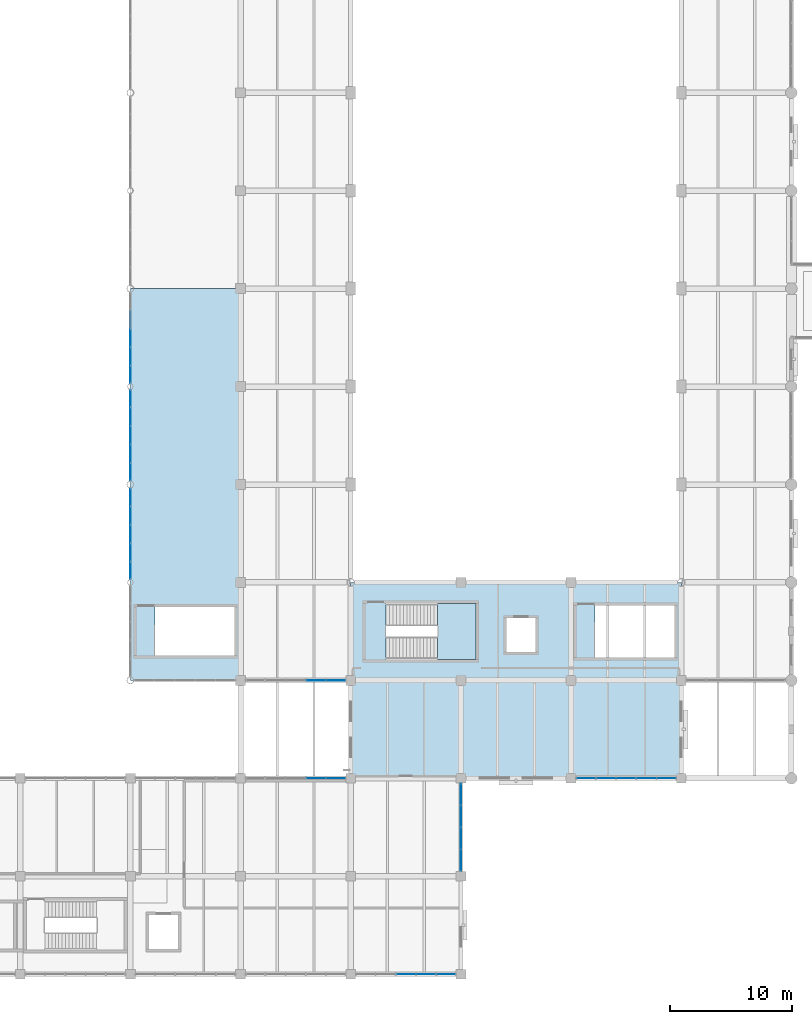
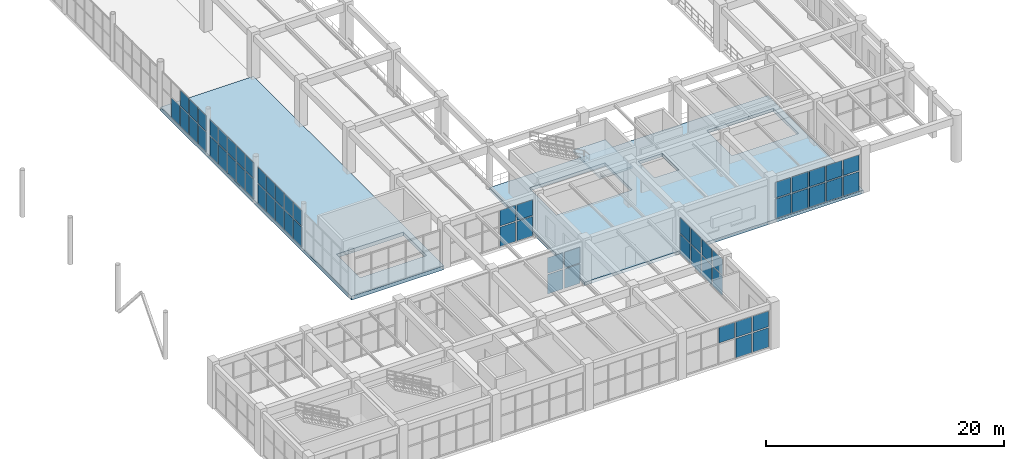
# One storey, part 140 of 178: 58 plates, 3 slabs, 9 elements without a shape of their own.
"""IFC4 building model written with IfcOpenShell, lengths in metres."""

from ifc_helpers import new_model, si_unit, derived_unit, direction, frame, origin, origin_2d, place, context, subcontext, project, spatial, polyline, rectangle, outline, extrude, material, layer, layer_set, type_object, element, aggregate, save


model = new_model("IFC4")

# Units and contexts
model_context = context("Model", 3, precision=1e-05, world=origin(), true_north=direction((0.0, 1.0)))
body_context = subcontext(model_context, "Body", "Model", "MODEL_VIEW")
ifc_project = project(units=[si_unit("LENGTHUNIT", "METRE"), si_unit("AREAUNIT", "SQUARE_METRE"), si_unit("VOLUMEUNIT", "CUBIC_METRE"), si_unit("PLANEANGLEUNIT", "RADIAN"), si_unit("MASSUNIT", "GRAM", prefix="KILO"), derived_unit("THERMALTRANSMITTANCEUNIT", [(si_unit("MASSUNIT", "GRAM", prefix="KILO"), 1), (si_unit("TIMEUNIT", "SECOND"), -3), (si_unit("THERMODYNAMICTEMPERATUREUNIT", "KELVIN"), -1)])], contexts=[model_context])

# Site, building, storey
site_placement = place(None, origin())
site = spatial("IfcSite", under=ifc_project, at=site_placement, CompositionType="ELEMENT")
building_placement = place(site_placement, origin())
building = spatial("IfcBuilding", under=site, at=building_placement, Name="Zhenchuan Archway Interchange", CompositionType="ELEMENT")
storey_placement = place(building_placement, frame((0.0, 0.0, 5.39990234375)))
storey = spatial("IfcBuildingStorey", under=building, at=storey_placement, Name="L01", CompositionType="ELEMENT", Elevation=5.39990234375)

# Curtain wall, plates
ifc_material_1 = material(Name="Anodised Aluminium", Category="aluminium")
curtain_wall_type_1 = type_object("IfcCurtainWallType", Name="CW_UNIT_4", PredefinedType="NOTDEFINED", material=ifc_material_1)
curtain_wall_1_placement = place(storey_placement, origin())
curtain_wall_1 = element("IfcCurtainWall", 1, at=curtain_wall_1_placement, inside=storey, type_object=curtain_wall_type_1, Name="Unitised curtain wall CW:L01:027", PredefinedType="NOTDEFINED")
ifc_material_2 = material(Name="Double Low-E Insulated Glazing", Category="glass")
ifc_layer_1 = layer(ifc_material_2, 0.028076171875)
ifc_layer_set_1 = layer_set([ifc_layer_1], Name="Double Low-E Insulated Glazing")
plate_type_1 = type_object("IfcPlateType", Name="CW_GLZ_1", PredefinedType="CURTAIN_PANEL", material=ifc_layer_set_1)
plate_1_placement = place(storey_placement, frame((34.795654296875, 24.0, 0.080078125), z_axis=(0.0, 0.0, 1.0), x_axis=(-1.0, 0.0, 0.0)))
plate_1 = element("IfcPlate", 2, at=plate_1_placement, type_object=plate_type_1, Name="CW:L01:027 lower glazing panel 0", PredefinedType="CURTAIN_PANEL", context=body_context, shape_type="SweptSolid", body=[
    extrude(rectangle(XDim=1.492919921875, YDim=0.028076171875, at=origin_2d()), origin(), (0.0, 0.0, 1.0), 1.98291015625),
])
plate_2_placement = place(storey_placement, frame((33.15283203125, 24.0, 0.080078125), z_axis=(0.0, 0.0, 1.0), x_axis=(-1.0, 0.0, 0.0)))
plate_2 = element("IfcPlate", 3, at=plate_2_placement, type_object=plate_type_1, Name="CW:L01:027 lower glazing panel 1", PredefinedType="CURTAIN_PANEL", context=body_context, shape_type="SweptSolid", body=[
    extrude(rectangle(XDim=1.5126953125, YDim=0.028076171875, at=origin_2d()), origin(), (0.0, 0.0, 1.0), 1.98291015625),
])

curtain_wall_type_2 = type_object("IfcCurtainWallType", Name="CW_UNIT_3", PredefinedType="NOTDEFINED", material=ifc_material_1)
curtain_wall_2_placement = place(storey_placement, origin())
curtain_wall_2 = element("IfcCurtainWall", 4, at=curtain_wall_2_placement, inside=storey, type_object=curtain_wall_type_2, Name="Unitised curtain wall CW:L01:030", PredefinedType="NOTDEFINED")
plate_3_placement = place(storey_placement, frame((18.0, 32.961181640625, 0.080078125), z_axis=(0.0, 0.0, 1.0), x_axis=(0.0, 1.0, 0.0)))
plate_3 = element("IfcPlate", 5, at=plate_3_placement, type_object=plate_type_1, Name="CW:L01:030 lower glazing panel 0", PredefinedType="CURTAIN_PANEL", context=body_context, shape_type="SweptSolid", body=[
    extrude(rectangle(XDim=1.3515625, YDim=0.028076171875, at=origin_2d()), origin(), (0.0, 0.0, 1.0), 1.98291015625),
])
plate_4_placement = place(storey_placement, frame((18.0, 34.462890625, 0.080078125), z_axis=(0.0, 0.0, 1.0), x_axis=(0.0, 1.0, 0.0)))
plate_4 = element("IfcPlate", 6, at=plate_4_placement, type_object=plate_type_1, Name="CW:L01:030 lower glazing panel 1", PredefinedType="CURTAIN_PANEL", context=body_context, shape_type="SweptSolid", body=[
    extrude(rectangle(XDim=1.37158203125, YDim=0.028076171875, at=origin_2d()), origin(), (0.0, 0.0, 1.0), 1.98291015625),
])
plate_5_placement = place(storey_placement, frame((18.0, 35.974609375, 0.080078125), z_axis=(0.0, 0.0, 1.0), x_axis=(0.0, 1.0, 0.0)))
plate_5 = element("IfcPlate", 7, at=plate_5_placement, type_object=plate_type_1, Name="CW:L01:030 lower glazing panel 2", PredefinedType="CURTAIN_PANEL", context=body_context, shape_type="SweptSolid", body=[
    extrude(rectangle(XDim=1.37158203125, YDim=0.028076171875, at=origin_2d()), origin(), (0.0, 0.0, 1.0), 1.98291015625),
])
plate_6_placement = place(storey_placement, frame((18.0, 37.486083984375, 0.080078125), z_axis=(0.0, 0.0, 1.0), x_axis=(0.0, 1.0, 0.0)))
plate_6 = element("IfcPlate", 8, at=plate_6_placement, type_object=plate_type_1, Name="CW:L01:030 lower glazing panel 3", PredefinedType="CURTAIN_PANEL", context=body_context, shape_type="SweptSolid", body=[
    extrude(rectangle(XDim=1.37158203125, YDim=0.028076171875, at=origin_2d()), origin(), (0.0, 0.0, 1.0), 1.98291015625),
])
plate_7_placement = place(storey_placement, frame((18.0, 38.98779296875, 0.080078125), z_axis=(0.0, 0.0, 1.0), x_axis=(0.0, 1.0, 0.0)))
plate_7 = element("IfcPlate", 9, at=plate_7_placement, type_object=plate_type_1, Name="CW:L01:030 lower glazing panel 4", PredefinedType="CURTAIN_PANEL", context=body_context, shape_type="SweptSolid", body=[
    extrude(rectangle(XDim=1.3515625, YDim=0.028076171875, at=origin_2d()), origin(), (0.0, 0.0, 1.0), 1.98291015625),
])

curtain_wall_3_placement = place(storey_placement, origin())
curtain_wall_3 = element("IfcCurtainWall", 10, at=curtain_wall_3_placement, inside=storey, type_object=curtain_wall_type_1, Name="Unitised curtain wall CW:L01:031", PredefinedType="NOTDEFINED")
plate_8_placement = place(storey_placement, frame((18.0, 41.01220703125, 0.080078125), z_axis=(0.0, 0.0, 1.0), x_axis=(0.0, 1.0, 0.0)))
plate_8 = element("IfcPlate", 11, at=plate_8_placement, type_object=plate_type_1, Name="CW:L01:031 lower glazing panel 0", PredefinedType="CURTAIN_PANEL", context=body_context, shape_type="SweptSolid", body=[
    extrude(rectangle(XDim=1.3515625, YDim=0.028076171875, at=origin_2d()), origin(), (0.0, 0.0, 1.0), 1.98291015625),
])
plate_9_placement = place(storey_placement, frame((18.0, 42.513916015625, 0.080078125), z_axis=(0.0, 0.0, 1.0), x_axis=(0.0, 1.0, 0.0)))
plate_9 = element("IfcPlate", 12, at=plate_9_placement, type_object=plate_type_1, Name="CW:L01:031 lower glazing panel 1", PredefinedType="CURTAIN_PANEL", context=body_context, shape_type="SweptSolid", body=[
    extrude(rectangle(XDim=1.37158203125, YDim=0.028076171875, at=origin_2d()), origin(), (0.0, 0.0, 1.0), 1.98291015625),
])
plate_10_placement = place(storey_placement, frame((18.0, 44.025390625, 0.080078125), z_axis=(0.0, 0.0, 1.0), x_axis=(0.0, 1.0, 0.0)))
plate_10 = element("IfcPlate", 13, at=plate_10_placement, type_object=plate_type_1, Name="CW:L01:031 lower glazing panel 2", PredefinedType="CURTAIN_PANEL", context=body_context, shape_type="SweptSolid", body=[
    extrude(rectangle(XDim=1.37158203125, YDim=0.028076171875, at=origin_2d()), origin(), (0.0, 0.0, 1.0), 1.98291015625),
])
plate_11_placement = place(storey_placement, frame((18.0, 45.537109375, 0.080078125), z_axis=(0.0, 0.0, 1.0), x_axis=(0.0, 1.0, 0.0)))
plate_11 = element("IfcPlate", 14, at=plate_11_placement, type_object=plate_type_1, Name="CW:L01:031 lower glazing panel 3", PredefinedType="CURTAIN_PANEL", context=body_context, shape_type="SweptSolid", body=[
    extrude(rectangle(XDim=1.37158203125, YDim=0.028076171875, at=origin_2d()), origin(), (0.0, 0.0, 1.0), 1.98291015625),
])
plate_12_placement = place(storey_placement, frame((18.0, 47.038818359375, 0.080078125), z_axis=(0.0, 0.0, 1.0), x_axis=(0.0, 1.0, 0.0)))
plate_12 = element("IfcPlate", 15, at=plate_12_placement, type_object=plate_type_1, Name="CW:L01:031 lower glazing panel 4", PredefinedType="CURTAIN_PANEL", context=body_context, shape_type="SweptSolid", body=[
    extrude(rectangle(XDim=1.3515625, YDim=0.028076171875, at=origin_2d()), origin(), (0.0, 0.0, 1.0), 1.98291015625),
])

curtain_wall_type_3 = type_object("IfcCurtainWallType", Name="CW_UNIT_1", PredefinedType="NOTDEFINED", material=ifc_material_1)
curtain_wall_4_placement = place(storey_placement, origin())
curtain_wall_4 = element("IfcCurtainWall", 16, at=curtain_wall_4_placement, inside=storey, type_object=curtain_wall_type_3, Name="Unitised curtain wall CW:L01:032", PredefinedType="NOTDEFINED")
plate_13_placement = place(storey_placement, frame((18.0, 48.961181640625, 0.080078125), z_axis=(0.0, 0.0, 1.0), x_axis=(0.0, 1.0, 0.0)))
plate_13 = element("IfcPlate", 17, at=plate_13_placement, type_object=plate_type_1, Name="CW:L01:032 lower glazing panel 0", PredefinedType="CURTAIN_PANEL", context=body_context, shape_type="SweptSolid", body=[
    extrude(rectangle(XDim=1.3515625, YDim=0.028076171875, at=origin_2d()), origin(), (0.0, 0.0, 1.0), 1.98291015625),
])
plate_14_placement = place(storey_placement, frame((18.0, 50.462890625, 0.080078125), z_axis=(0.0, 0.0, 1.0), x_axis=(0.0, 1.0, 0.0)))
plate_14 = element("IfcPlate", 18, at=plate_14_placement, type_object=plate_type_1, Name="CW:L01:032 lower glazing panel 1", PredefinedType="CURTAIN_PANEL", context=body_context, shape_type="SweptSolid", body=[
    extrude(rectangle(XDim=1.37158203125, YDim=0.028076171875, at=origin_2d()), origin(), (0.0, 0.0, 1.0), 1.98291015625),
])
plate_15_placement = place(storey_placement, frame((18.0, 51.974609375, 0.080078125), z_axis=(0.0, 0.0, 1.0), x_axis=(0.0, 1.0, 0.0)))
plate_15 = element("IfcPlate", 19, at=plate_15_placement, type_object=plate_type_1, Name="CW:L01:032 lower glazing panel 2", PredefinedType="CURTAIN_PANEL", context=body_context, shape_type="SweptSolid", body=[
    extrude(rectangle(XDim=1.37158203125, YDim=0.028076171875, at=origin_2d()), origin(), (0.0, 0.0, 1.0), 1.98291015625),
])
plate_16_placement = place(storey_placement, frame((18.0, 53.486083984375, 0.080078125), z_axis=(0.0, 0.0, 1.0), x_axis=(0.0, 1.0, 0.0)))
plate_16 = element("IfcPlate", 20, at=plate_16_placement, type_object=plate_type_1, Name="CW:L01:032 lower glazing panel 3", PredefinedType="CURTAIN_PANEL", context=body_context, shape_type="SweptSolid", body=[
    extrude(rectangle(XDim=1.37158203125, YDim=0.028076171875, at=origin_2d()), origin(), (0.0, 0.0, 1.0), 1.98291015625),
])

curtain_wall_5_placement = place(storey_placement, origin())
curtain_wall_5 = element("IfcCurtainWall", 21, at=curtain_wall_5_placement, inside=storey, type_object=curtain_wall_type_3, Name="Unitised curtain wall CW:L01:080", PredefinedType="NOTDEFINED")
plate_17_placement = place(storey_placement, frame((61.795654296875, 16.0, 0.080078125), z_axis=(0.0, 0.0, 1.0), x_axis=(-1.0, 0.0, 0.0)))
plate_17 = element("IfcPlate", 22, at=plate_17_placement, type_object=plate_type_1, Name="CW:L01:080 lower glazing panel 0", PredefinedType="CURTAIN_PANEL", context=body_context, shape_type="SweptSolid", body=[
    extrude(rectangle(XDim=1.492919921875, YDim=0.028076171875, at=origin_2d()), origin(), (0.0, 0.0, 1.0), 1.98291015625),
])
plate_18_placement = place(storey_placement, frame((60.15283203125, 16.0, 0.080078125), z_axis=(0.0, 0.0, 1.0), x_axis=(-1.0, 0.0, 0.0)))
plate_18 = element("IfcPlate", 23, at=plate_18_placement, type_object=plate_type_1, Name="CW:L01:080 lower glazing panel 1", PredefinedType="CURTAIN_PANEL", context=body_context, shape_type="SweptSolid", body=[
    extrude(rectangle(XDim=1.5126953125, YDim=0.028076171875, at=origin_2d()), origin(), (0.0, 0.0, 1.0), 1.98291015625),
])
plate_19_placement = place(storey_placement, frame((58.5, 16.0, 0.080078125), z_axis=(0.0, 0.0, 1.0), x_axis=(-1.0, 0.0, 0.0)))
plate_19 = element("IfcPlate", 24, at=plate_19_placement, type_object=plate_type_1, Name="CW:L01:080 lower glazing panel 2", PredefinedType="CURTAIN_PANEL", context=body_context, shape_type="SweptSolid", body=[
    extrude(rectangle(XDim=1.5126953125, YDim=0.028076171875, at=origin_2d()), origin(), (0.0, 0.0, 1.0), 1.98291015625),
])
plate_20_placement = place(storey_placement, frame((56.84716796875, 16.0, 0.080078125), z_axis=(0.0, 0.0, 1.0), x_axis=(-1.0, 0.0, 0.0)))
plate_20 = element("IfcPlate", 25, at=plate_20_placement, type_object=plate_type_1, Name="CW:L01:080 lower glazing panel 3", PredefinedType="CURTAIN_PANEL", context=body_context, shape_type="SweptSolid", body=[
    extrude(rectangle(XDim=1.5126953125, YDim=0.028076171875, at=origin_2d()), origin(), (0.0, 0.0, 1.0), 1.98291015625),
])
plate_21_placement = place(storey_placement, frame((55.204345703125, 16.0, 0.080078125), z_axis=(0.0, 0.0, 1.0), x_axis=(-1.0, 0.0, 0.0)))
plate_21 = element("IfcPlate", 26, at=plate_21_placement, type_object=plate_type_1, Name="CW:L01:080 lower glazing panel 4", PredefinedType="CURTAIN_PANEL", context=body_context, shape_type="SweptSolid", body=[
    extrude(rectangle(XDim=1.492919921875, YDim=0.028076171875, at=origin_2d()), origin(), (0.0, 0.0, 1.0), 1.98291015625),
])

curtain_wall_6_placement = place(storey_placement, origin())
curtain_wall_6 = element("IfcCurtainWall", 27, at=curtain_wall_6_placement, inside=storey, type_object=curtain_wall_type_2, Name="Unitised curtain wall CW:L01:082", PredefinedType="NOTDEFINED")
plate_22_placement = place(storey_placement, frame((43.795654296875, 0.0, 0.080078125), z_axis=(0.0, 0.0, 1.0), x_axis=(-1.0, 0.0, 0.0)))
plate_22 = element("IfcPlate", 28, at=plate_22_placement, type_object=plate_type_1, Name="CW:L01:082 lower glazing panel 0", PredefinedType="CURTAIN_PANEL", context=body_context, shape_type="SweptSolid", body=[
    extrude(rectangle(XDim=1.492919921875, YDim=0.028076171875, at=origin_2d()), origin(), (0.0, 0.0, 1.0), 1.98291015625),
])
plate_23_placement = place(storey_placement, frame((42.15283203125, 0.0, 0.080078125), z_axis=(0.0, 0.0, 1.0), x_axis=(-1.0, 0.0, 0.0)))
plate_23 = element("IfcPlate", 29, at=plate_23_placement, type_object=plate_type_1, Name="CW:L01:082 lower glazing panel 1", PredefinedType="CURTAIN_PANEL", context=body_context, shape_type="SweptSolid", body=[
    extrude(rectangle(XDim=1.5126953125, YDim=0.028076171875, at=origin_2d()), origin(), (0.0, 0.0, 1.0), 1.98291015625),
])

curtain_wall_7_placement = place(storey_placement, origin())
curtain_wall_7 = element("IfcCurtainWall", 30, at=curtain_wall_7_placement, inside=storey, type_object=curtain_wall_type_3, Name="Unitised curtain wall CW:L01:092", PredefinedType="NOTDEFINED")
plate_24_placement = place(storey_placement, frame((33.15283203125, 16.0, 0.080078125), z_axis=(0.0, 0.0, 1.0), x_axis=(1.0, 0.0, 0.0)))
plate_24 = element("IfcPlate", 31, at=plate_24_placement, type_object=plate_type_1, Name="CW:L01:092 lower glazing panel 3", PredefinedType="CURTAIN_PANEL", context=body_context, shape_type="SweptSolid", body=[
    extrude(rectangle(XDim=1.5126953125, YDim=0.028076171875, at=origin_2d()), origin(), (0.0, 0.0, 1.0), 1.98291015625),
])
plate_25_placement = place(storey_placement, frame((34.795654296875, 16.0, 0.080078125), z_axis=(0.0, 0.0, 1.0), x_axis=(1.0, 0.0, 0.0)))
plate_25 = element("IfcPlate", 32, at=plate_25_placement, type_object=plate_type_1, Name="CW:L01:092 lower glazing panel 4", PredefinedType="CURTAIN_PANEL", context=body_context, shape_type="SweptSolid", body=[
    extrude(rectangle(XDim=1.492919921875, YDim=0.028076171875, at=origin_2d()), origin(), (0.0, 0.0, 1.0), 1.98291015625),
])

# Plate
ifc_layer_2 = layer(ifc_material_2, 0.02587890625)
ifc_layer_set_2 = layer_set([ifc_layer_2], Name="Double Low-E Insulated Glazing")
plate_type_2 = type_object("IfcPlateType", Name="CW_GLZ_2", PredefinedType="CURTAIN_PANEL", material=ifc_layer_set_2)
plate_26_placement = place(storey_placement, frame((34.795654296875, 24.0, 2.18310546875), z_axis=(0.0, 0.0, 1.0), x_axis=(-1.0, 0.0, 0.0)))
plate_26 = element("IfcPlate", 33, at=plate_26_placement, type_object=plate_type_2, Name="CW:L01:027 upper glazing panel 0", PredefinedType="CURTAIN_PANEL", context=body_context, shape_type="SweptSolid", body=[
    extrude(rectangle(XDim=1.492919921875, YDim=0.02587890625, at=origin_2d()), origin(), (0.0, 0.0, 1.0), 1.596923828125),
])

plate_27_placement = place(storey_placement, frame((33.15283203125, 24.0, 2.18310546875), z_axis=(0.0, 0.0, 1.0), x_axis=(-1.0, 0.0, 0.0)))
plate_27 = element("IfcPlate", 34, at=plate_27_placement, type_object=plate_type_2, Name="CW:L01:027 upper glazing panel 1", PredefinedType="CURTAIN_PANEL", context=body_context, shape_type="SweptSolid", body=[
    extrude(rectangle(XDim=1.5126953125, YDim=0.02587890625, at=origin_2d()), origin(), (0.0, 0.0, 1.0), 1.596923828125),
])

aggregate(curtain_wall_1, [plate_1, plate_26, plate_2, plate_27])

plate_28_placement = place(storey_placement, frame((18.0, 32.961181640625, 2.18310546875), z_axis=(0.0, 0.0, 1.0), x_axis=(0.0, 1.0, 0.0)))
plate_28 = element("IfcPlate", 35, at=plate_28_placement, type_object=plate_type_2, Name="CW:L01:030 upper glazing panel 0", PredefinedType="CURTAIN_PANEL", context=body_context, shape_type="SweptSolid", body=[
    extrude(rectangle(XDim=1.3515625, YDim=0.02587890625, at=origin_2d()), origin(), (0.0, 0.0, 1.0), 1.596923828125),
])

plate_29_placement = place(storey_placement, frame((18.0, 34.462890625, 2.18310546875), z_axis=(0.0, 0.0, 1.0), x_axis=(0.0, 1.0, 0.0)))
plate_29 = element("IfcPlate", 36, at=plate_29_placement, type_object=plate_type_2, Name="CW:L01:030 upper glazing panel 1", PredefinedType="CURTAIN_PANEL", context=body_context, shape_type="SweptSolid", body=[
    extrude(rectangle(XDim=1.37158203125, YDim=0.02587890625, at=origin_2d()), origin(), (0.0, 0.0, 1.0), 1.596923828125),
])

plate_30_placement = place(storey_placement, frame((18.0, 35.974609375, 2.18310546875), z_axis=(0.0, 0.0, 1.0), x_axis=(0.0, 1.0, 0.0)))
plate_30 = element("IfcPlate", 37, at=plate_30_placement, type_object=plate_type_2, Name="CW:L01:030 upper glazing panel 2", PredefinedType="CURTAIN_PANEL", context=body_context, shape_type="SweptSolid", body=[
    extrude(rectangle(XDim=1.37158203125, YDim=0.02587890625, at=origin_2d()), origin(), (0.0, 0.0, 1.0), 1.596923828125),
])

plate_31_placement = place(storey_placement, frame((18.0, 37.486083984375, 2.18310546875), z_axis=(0.0, 0.0, 1.0), x_axis=(0.0, 1.0, 0.0)))
plate_31 = element("IfcPlate", 38, at=plate_31_placement, type_object=plate_type_2, Name="CW:L01:030 upper glazing panel 3", PredefinedType="CURTAIN_PANEL", context=body_context, shape_type="SweptSolid", body=[
    extrude(rectangle(XDim=1.37158203125, YDim=0.02587890625, at=origin_2d()), origin(), (0.0, 0.0, 1.0), 1.596923828125),
])

plate_32_placement = place(storey_placement, frame((18.0, 38.98779296875, 2.18310546875), z_axis=(0.0, 0.0, 1.0), x_axis=(0.0, 1.0, 0.0)))
plate_32 = element("IfcPlate", 39, at=plate_32_placement, type_object=plate_type_2, Name="CW:L01:030 upper glazing panel 4", PredefinedType="CURTAIN_PANEL", context=body_context, shape_type="SweptSolid", body=[
    extrude(rectangle(XDim=1.3515625, YDim=0.02587890625, at=origin_2d()), origin(), (0.0, 0.0, 1.0), 1.596923828125),
])

aggregate(curtain_wall_2, [plate_3, plate_28, plate_4, plate_29, plate_5, plate_30, plate_6, plate_31, plate_7, plate_32])

plate_33_placement = place(storey_placement, frame((18.0, 41.01220703125, 2.18310546875), z_axis=(0.0, 0.0, 1.0), x_axis=(0.0, 1.0, 0.0)))
plate_33 = element("IfcPlate", 40, at=plate_33_placement, type_object=plate_type_2, Name="CW:L01:031 upper glazing panel 0", PredefinedType="CURTAIN_PANEL", context=body_context, shape_type="SweptSolid", body=[
    extrude(rectangle(XDim=1.3515625, YDim=0.02587890625, at=origin_2d()), origin(), (0.0, 0.0, 1.0), 1.596923828125),
])

plate_34_placement = place(storey_placement, frame((18.0, 42.513916015625, 2.18310546875), z_axis=(0.0, 0.0, 1.0), x_axis=(0.0, 1.0, 0.0)))
plate_34 = element("IfcPlate", 41, at=plate_34_placement, type_object=plate_type_2, Name="CW:L01:031 upper glazing panel 1", PredefinedType="CURTAIN_PANEL", context=body_context, shape_type="SweptSolid", body=[
    extrude(rectangle(XDim=1.37158203125, YDim=0.02587890625, at=origin_2d()), origin(), (0.0, 0.0, 1.0), 1.596923828125),
])

plate_35_placement = place(storey_placement, frame((18.0, 44.025390625, 2.18310546875), z_axis=(0.0, 0.0, 1.0), x_axis=(0.0, 1.0, 0.0)))
plate_35 = element("IfcPlate", 42, at=plate_35_placement, type_object=plate_type_2, Name="CW:L01:031 upper glazing panel 2", PredefinedType="CURTAIN_PANEL", context=body_context, shape_type="SweptSolid", body=[
    extrude(rectangle(XDim=1.37158203125, YDim=0.02587890625, at=origin_2d()), origin(), (0.0, 0.0, 1.0), 1.596923828125),
])

plate_36_placement = place(storey_placement, frame((18.0, 45.537109375, 2.18310546875), z_axis=(0.0, 0.0, 1.0), x_axis=(0.0, 1.0, 0.0)))
plate_36 = element("IfcPlate", 43, at=plate_36_placement, type_object=plate_type_2, Name="CW:L01:031 upper glazing panel 3", PredefinedType="CURTAIN_PANEL", context=body_context, shape_type="SweptSolid", body=[
    extrude(rectangle(XDim=1.37158203125, YDim=0.02587890625, at=origin_2d()), origin(), (0.0, 0.0, 1.0), 1.596923828125),
])

plate_37_placement = place(storey_placement, frame((18.0, 47.038818359375, 2.18310546875), z_axis=(0.0, 0.0, 1.0), x_axis=(0.0, 1.0, 0.0)))
plate_37 = element("IfcPlate", 44, at=plate_37_placement, type_object=plate_type_2, Name="CW:L01:031 upper glazing panel 4", PredefinedType="CURTAIN_PANEL", context=body_context, shape_type="SweptSolid", body=[
    extrude(rectangle(XDim=1.3515625, YDim=0.02587890625, at=origin_2d()), origin(), (0.0, 0.0, 1.0), 1.596923828125),
])

aggregate(curtain_wall_3, [plate_8, plate_33, plate_9, plate_34, plate_10, plate_35, plate_11, plate_36, plate_12, plate_37])

plate_38_placement = place(storey_placement, frame((18.0, 48.961181640625, 2.18310546875), z_axis=(0.0, 0.0, 1.0), x_axis=(0.0, 1.0, 0.0)))
plate_38 = element("IfcPlate", 45, at=plate_38_placement, type_object=plate_type_2, Name="CW:L01:032 upper glazing panel 0", PredefinedType="CURTAIN_PANEL", context=body_context, shape_type="SweptSolid", body=[
    extrude(rectangle(XDim=1.3515625, YDim=0.02587890625, at=origin_2d()), origin(), (0.0, 0.0, 1.0), 1.596923828125),
])

plate_39_placement = place(storey_placement, frame((18.0, 50.462890625, 2.18310546875), z_axis=(0.0, 0.0, 1.0), x_axis=(0.0, 1.0, 0.0)))
plate_39 = element("IfcPlate", 46, at=plate_39_placement, type_object=plate_type_2, Name="CW:L01:032 upper glazing panel 1", PredefinedType="CURTAIN_PANEL", context=body_context, shape_type="SweptSolid", body=[
    extrude(rectangle(XDim=1.37158203125, YDim=0.02587890625, at=origin_2d()), origin(), (0.0, 0.0, 1.0), 1.596923828125),
])

plate_40_placement = place(storey_placement, frame((18.0, 51.974609375, 2.18310546875), z_axis=(0.0, 0.0, 1.0), x_axis=(0.0, 1.0, 0.0)))
plate_40 = element("IfcPlate", 47, at=plate_40_placement, type_object=plate_type_2, Name="CW:L01:032 upper glazing panel 2", PredefinedType="CURTAIN_PANEL", context=body_context, shape_type="SweptSolid", body=[
    extrude(rectangle(XDim=1.37158203125, YDim=0.02587890625, at=origin_2d()), origin(), (0.0, 0.0, 1.0), 1.596923828125),
])

aggregate(curtain_wall_4, [plate_13, plate_38, plate_14, plate_39, plate_15, plate_40, plate_16])

plate_41_placement = place(storey_placement, frame((61.795654296875, 16.0, 2.18310546875), z_axis=(0.0, 0.0, 1.0), x_axis=(-1.0, 0.0, 0.0)))
plate_41 = element("IfcPlate", 48, at=plate_41_placement, type_object=plate_type_2, Name="CW:L01:080 upper glazing panel 0", PredefinedType="CURTAIN_PANEL", context=body_context, shape_type="SweptSolid", body=[
    extrude(rectangle(XDim=1.492919921875, YDim=0.02587890625, at=origin_2d()), origin(), (0.0, 0.0, 1.0), 1.596923828125),
])

plate_42_placement = place(storey_placement, frame((60.15283203125, 16.0, 2.18310546875), z_axis=(0.0, 0.0, 1.0), x_axis=(-1.0, 0.0, 0.0)))
plate_42 = element("IfcPlate", 49, at=plate_42_placement, type_object=plate_type_2, Name="CW:L01:080 upper glazing panel 1", PredefinedType="CURTAIN_PANEL", context=body_context, shape_type="SweptSolid", body=[
    extrude(rectangle(XDim=1.5126953125, YDim=0.02587890625, at=origin_2d()), origin(), (0.0, 0.0, 1.0), 1.596923828125),
])

plate_43_placement = place(storey_placement, frame((58.5, 16.0, 2.18310546875), z_axis=(0.0, 0.0, 1.0), x_axis=(-1.0, 0.0, 0.0)))
plate_43 = element("IfcPlate", 50, at=plate_43_placement, type_object=plate_type_2, Name="CW:L01:080 upper glazing panel 2", PredefinedType="CURTAIN_PANEL", context=body_context, shape_type="SweptSolid", body=[
    extrude(rectangle(XDim=1.5126953125, YDim=0.02587890625, at=origin_2d()), origin(), (0.0, 0.0, 1.0), 1.596923828125),
])

plate_44_placement = place(storey_placement, frame((56.84716796875, 16.0, 2.18310546875), z_axis=(0.0, 0.0, 1.0), x_axis=(-1.0, 0.0, 0.0)))
plate_44 = element("IfcPlate", 51, at=plate_44_placement, type_object=plate_type_2, Name="CW:L01:080 upper glazing panel 3", PredefinedType="CURTAIN_PANEL", context=body_context, shape_type="SweptSolid", body=[
    extrude(rectangle(XDim=1.5126953125, YDim=0.02587890625, at=origin_2d()), origin(), (0.0, 0.0, 1.0), 1.596923828125),
])

plate_45_placement = place(storey_placement, frame((55.204345703125, 16.0, 2.18310546875), z_axis=(0.0, 0.0, 1.0), x_axis=(-1.0, 0.0, 0.0)))
plate_45 = element("IfcPlate", 52, at=plate_45_placement, type_object=plate_type_2, Name="CW:L01:080 upper glazing panel 4", PredefinedType="CURTAIN_PANEL", context=body_context, shape_type="SweptSolid", body=[
    extrude(rectangle(XDim=1.492919921875, YDim=0.02587890625, at=origin_2d()), origin(), (0.0, 0.0, 1.0), 1.596923828125),
])

aggregate(curtain_wall_5, [plate_17, plate_41, plate_18, plate_42, plate_19, plate_43, plate_20, plate_44, plate_21, plate_45])

plate_46_placement = place(storey_placement, frame((43.795654296875, 0.0, 2.18310546875), z_axis=(0.0, 0.0, 1.0), x_axis=(-1.0, 0.0, 0.0)))
plate_46 = element("IfcPlate", 53, at=plate_46_placement, type_object=plate_type_2, Name="CW:L01:082 upper glazing panel 0", PredefinedType="CURTAIN_PANEL", context=body_context, shape_type="SweptSolid", body=[
    extrude(rectangle(XDim=1.492919921875, YDim=0.02587890625, at=origin_2d()), origin(), (0.0, 0.0, 1.0), 1.596923828125),
])

plate_47_placement = place(storey_placement, frame((42.15283203125, 0.0, 2.18310546875), z_axis=(0.0, 0.0, 1.0), x_axis=(-1.0, 0.0, 0.0)))
plate_47 = element("IfcPlate", 54, at=plate_47_placement, type_object=plate_type_2, Name="CW:L01:082 upper glazing panel 1", PredefinedType="CURTAIN_PANEL", context=body_context, shape_type="SweptSolid", body=[
    extrude(rectangle(XDim=1.5126953125, YDim=0.02587890625, at=origin_2d()), origin(), (0.0, 0.0, 1.0), 1.596923828125),
])

plate_48_placement = place(storey_placement, frame((40.5, 0.0, 2.18310546875), z_axis=(0.0, 0.0, 1.0), x_axis=(-1.0, 0.0, 0.0)))
plate_48 = element("IfcPlate", 55, at=plate_48_placement, type_object=plate_type_2, Name="CW:L01:082 upper glazing panel 2", PredefinedType="CURTAIN_PANEL", context=body_context, shape_type="SweptSolid", body=[
    extrude(rectangle(XDim=1.5126953125, YDim=0.02587890625, at=origin_2d()), origin(), (0.0, 0.0, 1.0), 1.596923828125),
])

aggregate(curtain_wall_6, [plate_22, plate_46, plate_23, plate_47, plate_48])

plate_49_placement = place(storey_placement, frame((33.15283203125, 16.0, 2.18310546875), z_axis=(0.0, 0.0, 1.0), x_axis=(1.0, 0.0, 0.0)))
plate_49 = element("IfcPlate", 56, at=plate_49_placement, type_object=plate_type_2, Name="CW:L01:092 upper glazing panel 3", PredefinedType="CURTAIN_PANEL", context=body_context, shape_type="SweptSolid", body=[
    extrude(rectangle(XDim=1.5126953125, YDim=0.02587890625, at=origin_2d()), origin(), (0.0, 0.0, 1.0), 1.596923828125),
])

plate_50_placement = place(storey_placement, frame((34.795654296875, 16.0, 2.18310546875), z_axis=(0.0, 0.0, 1.0), x_axis=(1.0, 0.0, 0.0)))
plate_50 = element("IfcPlate", 57, at=plate_50_placement, type_object=plate_type_2, Name="CW:L01:092 upper glazing panel 4", PredefinedType="CURTAIN_PANEL", context=body_context, shape_type="SweptSolid", body=[
    extrude(rectangle(XDim=1.492919921875, YDim=0.02587890625, at=origin_2d()), origin(), (0.0, 0.0, 1.0), 1.596923828125),
])

aggregate(curtain_wall_7, [plate_24, plate_49, plate_25, plate_50])

# Curtain wall, plates
curtain_wall_type_4 = type_object("IfcCurtainWallType", Name="CW_UNIT_2", PredefinedType="NOTDEFINED", material=ifc_material_1)
curtain_wall_8_placement = place(storey_placement, origin())
curtain_wall_8 = element("IfcCurtainWall", 58, at=curtain_wall_8_placement, inside=storey, type_object=curtain_wall_type_4, Name="Unitised curtain wall CW:L01:081", PredefinedType="NOTDEFINED")
ifc_layer_3 = layer(ifc_material_2, 0.030029296875)
ifc_layer_set_3 = layer_set([ifc_layer_3], Name="Double Low-E Insulated Glazing")
plate_type_3 = type_object("IfcPlateType", Name="CW_GLZ_3", PredefinedType="CURTAIN_PANEL", material=ifc_layer_set_3)
plate_51_placement = place(storey_placement, frame((45.0, 14.714111328125, 0.080078125), z_axis=(0.0, 0.0, 1.0), x_axis=(0.0, -1.0, 0.0)))
plate_51 = element("IfcPlate", 59, at=plate_51_placement, type_object=plate_type_3, Name="CW:L01:081 lower glazing panel 0", PredefinedType="CURTAIN_PANEL", context=body_context, shape_type="SweptSolid", body=[
    extrude(rectangle(XDim=1.656005859375, YDim=0.028076171875, at=origin_2d()), origin(), (0.0, 0.0, 1.0), 1.98291015625),
])
plate_52_placement = place(storey_placement, frame((45.0, 12.907958984375, 0.080078125), z_axis=(0.0, 0.0, 1.0), x_axis=(0.0, -1.0, 0.0)))
plate_52 = element("IfcPlate", 60, at=plate_52_placement, type_object=plate_type_3, Name="CW:L01:081 lower glazing panel 1", PredefinedType="CURTAIN_PANEL", context=body_context, shape_type="SweptSolid", body=[
    extrude(rectangle(XDim=1.676025390625, YDim=0.028076171875, at=origin_2d()), origin(), (0.0, 0.0, 1.0), 1.98291015625),
])
plate_53_placement = place(storey_placement, frame((45.0, 11.092041015625, 0.080078125), z_axis=(0.0, 0.0, 1.0), x_axis=(0.0, -1.0, 0.0)))
plate_53 = element("IfcPlate", 61, at=plate_53_placement, type_object=plate_type_3, Name="CW:L01:081 lower glazing panel 2", PredefinedType="CURTAIN_PANEL", context=body_context, shape_type="SweptSolid", body=[
    extrude(rectangle(XDim=1.676025390625, YDim=0.028076171875, at=origin_2d()), origin(), (0.0, 0.0, 1.0), 1.98291015625),
])
plate_54_placement = place(storey_placement, frame((45.0, 9.285888671875, 0.080078125), z_axis=(0.0, 0.0, 1.0), x_axis=(0.0, -1.0, 0.0)))
plate_54 = element("IfcPlate", 62, at=plate_54_placement, type_object=plate_type_3, Name="CW:L01:081 lower glazing panel 3", PredefinedType="CURTAIN_PANEL", context=body_context, shape_type="SweptSolid", body=[
    extrude(rectangle(XDim=1.656005859375, YDim=0.028076171875, at=origin_2d()), origin(), (0.0, 0.0, 1.0), 1.98291015625),
])
ifc_layer_4 = layer(ifc_material_2, 0.02392578125)
ifc_layer_set_4 = layer_set([ifc_layer_4], Name="Double Low-E Insulated Glazing")
plate_type_4 = type_object("IfcPlateType", Name="CW_GLZ_4", PredefinedType="CURTAIN_PANEL", material=ifc_layer_set_4)
plate_55_placement = place(storey_placement, frame((45.0, 14.714111328125, 2.18310546875), z_axis=(0.0, 0.0, 1.0), x_axis=(0.0, -1.0, 0.0)))
plate_55 = element("IfcPlate", 63, at=plate_55_placement, type_object=plate_type_4, Name="CW:L01:081 upper glazing panel 0", PredefinedType="CURTAIN_PANEL", context=body_context, shape_type="SweptSolid", body=[
    extrude(rectangle(XDim=1.656005859375, YDim=0.02587890625, at=origin_2d()), origin(), (0.0, 0.0, 1.0), 1.596923828125),
])
plate_56_placement = place(storey_placement, frame((45.0, 12.907958984375, 2.18310546875), z_axis=(0.0, 0.0, 1.0), x_axis=(0.0, -1.0, 0.0)))
plate_56 = element("IfcPlate", 64, at=plate_56_placement, type_object=plate_type_4, Name="CW:L01:081 upper glazing panel 1", PredefinedType="CURTAIN_PANEL", context=body_context, shape_type="SweptSolid", body=[
    extrude(rectangle(XDim=1.676025390625, YDim=0.02587890625, at=origin_2d()), origin(), (0.0, 0.0, 1.0), 1.596923828125),
])
plate_57_placement = place(storey_placement, frame((45.0, 11.092041015625, 2.18310546875), z_axis=(0.0, 0.0, 1.0), x_axis=(0.0, -1.0, 0.0)))
plate_57 = element("IfcPlate", 65, at=plate_57_placement, type_object=plate_type_4, Name="CW:L01:081 upper glazing panel 2", PredefinedType="CURTAIN_PANEL", context=body_context, shape_type="SweptSolid", body=[
    extrude(rectangle(XDim=1.676025390625, YDim=0.02587890625, at=origin_2d()), origin(), (0.0, 0.0, 1.0), 1.596923828125),
])
plate_58_placement = place(storey_placement, frame((45.0, 9.285888671875, 2.18310546875), z_axis=(0.0, 0.0, 1.0), x_axis=(0.0, -1.0, 0.0)))
plate_58 = element("IfcPlate", 66, at=plate_58_placement, type_object=plate_type_4, Name="CW:L01:081 upper glazing panel 3", PredefinedType="CURTAIN_PANEL", context=body_context, shape_type="SweptSolid", body=[
    extrude(rectangle(XDim=1.656005859375, YDim=0.02587890625, at=origin_2d()), origin(), (0.0, 0.0, 1.0), 1.596923828125),
])
aggregate(curtain_wall_8, [plate_51, plate_55, plate_52, plate_56, plate_53, plate_57, plate_54, plate_58])

# Slabs
ifc_material_3 = material(Name="Concrete C40", Category="concrete")
ifc_layer_5 = layer(ifc_material_3, 0.320068359375)
ifc_layer_set_5 = layer_set([ifc_layer_5], Name="Concrete C40")
slab_type_1 = type_object("IfcSlabType", Name="SLB_FLR_320", PredefinedType="FLOOR", material=ifc_layer_set_5)
slab_1_placement = place(storey_placement, frame((0.0, 0.0, -0.31982421875)))
element("IfcSlab", 67, at=slab_1_placement, inside=storey, type_object=slab_type_1, Name="Structural slab L01 CH-S", PredefinedType="FLOOR", context=body_context, shape_type="SweptSolid", body=[
    extrude(outline(polyline([(63.0, 16.0), (36.0, 16.0), (36.0, 32.0), (63.0, 32.0), (63.0, 16.0)]), holes=[polyline([(38.875, 25.72509765625), (46.22509765625, 25.72509765625), (46.22509765625, 30.27490234375), (38.875, 30.27490234375), (38.875, 25.72509765625)]), polyline([(55.965087890625, 30.125), (55.965087890625, 25.875), (62.43505859375, 25.875), (62.43505859375, 30.125), (55.965087890625, 30.125)]), polyline([(51.080078125, 29.080078125), (48.719970703125, 29.080078125), (48.719970703125, 26.320068359375), (51.080078125, 26.320068359375), (51.080078125, 29.080078125)])]), origin(), (0.0, 0.0, 1.0), 0.31982421875),
])
ifc_layer_6 = layer(ifc_material_3, 0.3798828125)
ifc_layer_set_6 = layer_set([ifc_layer_6], Name="Concrete C40")
slab_type_2 = type_object("IfcSlabType", Name="SLB_FLR_380", PredefinedType="FLOOR", material=ifc_layer_set_6)
slab_2_placement = place(storey_placement, frame((0.0, 0.0, -0.3798828125)))
element("IfcSlab", 68, at=slab_2_placement, inside=storey, type_object=slab_type_2, Name="Structural slab L01 BUS-WLK-S", PredefinedType="FLOOR", context=body_context, shape_type="SweptSolid", body=[
    extrude(outline(polyline([(18.0, 24.0), (18.0, 56.0), (27.0, 56.0), (27.0, 24.0), (18.0, 24.0)]), holes=[polyline([(26.4951171875, 26.02490234375), (26.4951171875, 29.97509765625), (20.02490234375, 29.97509765625), (20.02490234375, 26.02490234375), (26.4951171875, 26.02490234375)])]), origin(), (0.0, 0.0, 1.0), 0.3798828125),
])

# Stair, slab
ifc_material_4 = material(Name="Concrete C35", Category="concrete")
stair_type = type_object("IfcStairType", Name="STR_HALF_1800", PredefinedType="HALF_TURN_STAIR", material=ifc_material_4)
stair_placement = place(storey_placement, origin())
stair = element("IfcStair", 69, at=stair_placement, inside=storey, type_object=stair_type, Name="Stair ST-M1 (L01)", PredefinedType="HALF_TURN_STAIR")
ifc_layer_7 = layer(ifc_material_4, 0.199951171875)
ifc_layer_set_7 = layer_set([ifc_layer_7], Name="Concrete C35")
slab_type_3 = type_object("IfcSlabType", Name="SLB_LANDING_200", PredefinedType="LANDING", material=ifc_layer_set_7)
slab_3_placement = place(storey_placement, frame((0.0, 0.0, 2.2001953125)))
slab_3 = element("IfcSlab", 70, at=slab_3_placement, type_object=slab_type_3, Name="Stair ST-M1 half-landing (L01)", PredefinedType="LANDING", context=body_context, shape_type="SweptSolid", body=[
    extrude(outline(polyline([(43.094970703125, 25.722900390625), (46.22705078125, 25.722900390625), (46.22705078125, 30.277099609375), (43.094970703125, 30.277099609375), (43.094970703125, 25.722900390625)])), origin(), (0.0, 0.0, 1.0), 0.199951171875),
])
aggregate(stair, [slab_3])

save(model, "model.ifc")
